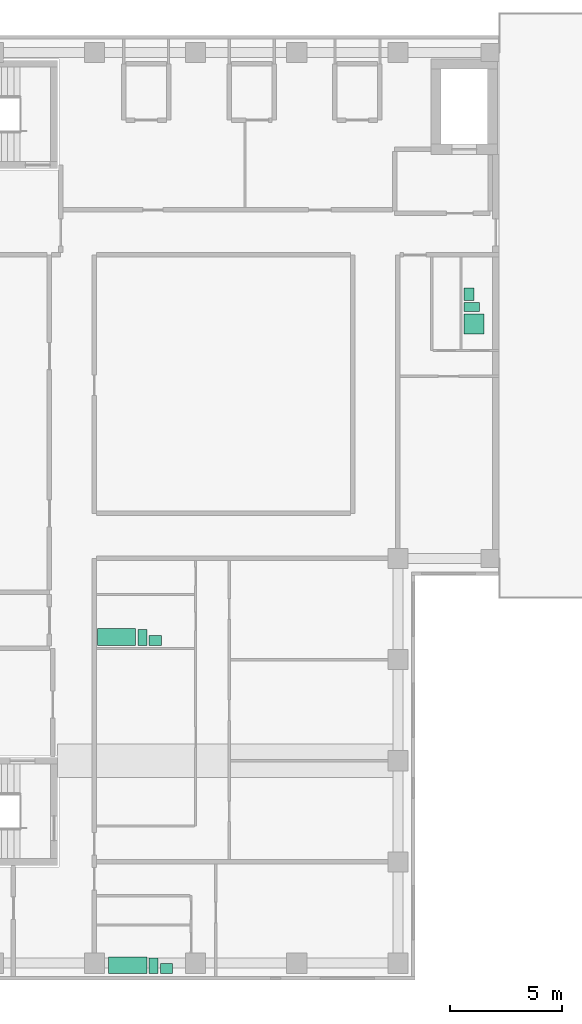
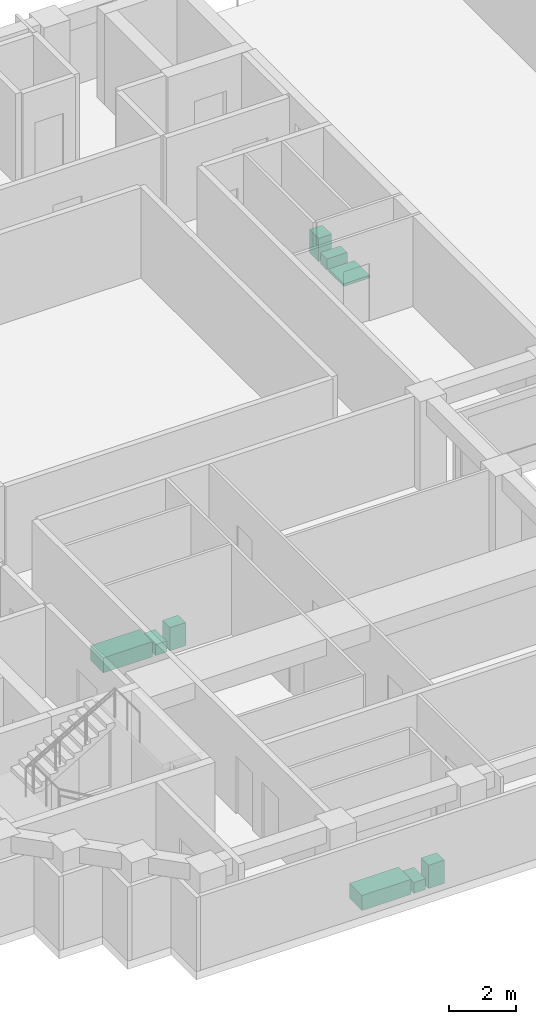
# One storey, part 7 of 7: 9 sanitary terminals.
"""IFC4 building model written with IfcOpenShell, lengths in metres."""

from ifc_helpers import new_model, si_unit, direction, frame, origin, origin_2d, place, context, subcontext, project, spatial, rectangle, extrude, material, type_object, element, save


model = new_model("IFC4")

# Units and contexts
model_context = context("Model", 3, precision=1e-05, world=origin(), true_north=direction((0.0, 1.0)))
body_context = subcontext(model_context, "Body", "Model", "MODEL_VIEW")
ifc_project = project(units=[si_unit("LENGTHUNIT", "METRE"), si_unit("AREAUNIT", "SQUARE_METRE"), si_unit("VOLUMEUNIT", "CUBIC_METRE"), si_unit("PLANEANGLEUNIT", "RADIAN"), si_unit("MASSUNIT", "GRAM", prefix="KILO")], contexts=[model_context])

# Site, building, storey
site_placement = place(None, origin())
site = spatial("IfcSite", under=ifc_project, at=site_placement, CompositionType="ELEMENT")
building_placement = place(site_placement, origin())
building = spatial("IfcBuilding", under=site, at=building_placement, Name="Firuza Court", CompositionType="ELEMENT")
storey_placement = place(building_placement, frame((0.0, 0.0, 240.199951171875)))
storey = spatial("IfcBuildingStorey", under=building, at=storey_placement, Name="L62", CompositionType="ELEMENT", Elevation=240.199951171875)

# Sanitary terminals
ifc_material_1 = material(Name="Vitreous china", Category="ceramic")
sanitary_terminal_type_1 = type_object("IfcSanitaryTerminalType", Name="Fixture Bath", PredefinedType="BATH", material=ifc_material_1)
for number, where, z_axis, x_axis, name in (
    (1, (9.97998046875, 32.5048828125, 0.0), (0.0, 0.0, 1.0), (1.0, 0.0, 0.0), "Bath"),
    (2, (10.47998046875, 17.905029296875, 0.0), (0.0, 0.0, 1.0), (1.0, 0.0, 0.0), "Bath"),
):
    element("IfcSanitaryTerminal", number, at=place(storey_placement, frame(where, z_axis=z_axis, x_axis=x_axis)), inside=storey, type_object=sanitary_terminal_type_1, Name=name, PredefinedType="BATH", context=body_context, shape_type="SweptSolid", body=[
        extrude(rectangle(XDim=1.699951171875, YDim=0.75, at=origin_2d()), origin(), (0.0, 0.0, 1.0), 0.550048828125),
    ])
ifc_material_2 = material(Name="Vitreous china", Category="ceramic")
sanitary_terminal_type_2 = type_object("IfcSanitaryTerminalType", Name="Fixture Shower tray", PredefinedType="SHOWER", material=ifc_material_2)
sanitary_terminal_1_placement = place(storey_placement, frame((25.8798828125, 46.429931640625, 0.0), z_axis=(0.0, 0.0, 1.0), x_axis=(1.0, 0.0, 0.0)))
element("IfcSanitaryTerminal", 3, at=sanitary_terminal_1_placement, inside=storey, type_object=sanitary_terminal_type_2, Name="Shower tray", PredefinedType="SHOWER", context=body_context, shape_type="SweptSolid", body=[
    extrude(rectangle(XDim=0.89990234375, YDim=0.89990234375, at=origin_2d()), origin(), (0.0, 0.0, 1.0), 0.10009765625),
])
ifc_material_3 = material(Name="Vitreous china", Category="ceramic")
sanitary_terminal_type_3 = type_object("IfcSanitaryTerminalType", Name="Fixture WC pan", PredefinedType="TOILETPAN", material=ifc_material_3)
sanitary_terminal_2_placement = place(storey_placement, frame((25.780029296875, 47.179931640625, 0.0), z_axis=(0.0, 0.0, 1.0), x_axis=(1.0, 0.0, 0.0)))
element("IfcSanitaryTerminal", 4, at=sanitary_terminal_2_placement, inside=storey, type_object=sanitary_terminal_type_3, Name="WC pan", PredefinedType="TOILETPAN", context=body_context, shape_type="SweptSolid", body=[
    extrude(rectangle(XDim=0.699951171875, YDim=0.39990234375, at=origin_2d()), origin(), (0.0, 0.0, 1.0), 0.39990234375),
])
for number, where, z_axis, x_axis, name in (
    (5, (11.1298828125, 32.47998046875, 0.0), (0.0, 0.0, 1.0), (1.0, 0.0, 0.0), "WC pan"),
    (6, (11.6298828125, 17.8798828125, 0.0), (0.0, 0.0, 1.0), (1.0, 0.0, 0.0), "WC pan"),
):
    element("IfcSanitaryTerminal", number, at=place(storey_placement, frame(where, z_axis=z_axis, x_axis=x_axis)), inside=storey, type_object=sanitary_terminal_type_3, Name=name, PredefinedType="TOILETPAN", context=body_context, shape_type="SweptSolid", body=[
        extrude(rectangle(XDim=0.39990234375, YDim=0.699951171875, at=origin_2d()), origin(), (0.0, 0.0, 1.0), 0.39990234375),
    ])
ifc_material_4 = material(Name="Vitreous china", Category="ceramic")
sanitary_terminal_type_4 = type_object("IfcSanitaryTerminalType", Name="Fixture Washbasin", PredefinedType="WASHHANDBASIN", material=ifc_material_4)
sanitary_terminal_3_placement = place(storey_placement, frame((25.655029296875, 47.7548828125, 0.0), z_axis=(0.0, 0.0, 1.0), x_axis=(1.0, 0.0, 0.0)))
element("IfcSanitaryTerminal", 7, at=sanitary_terminal_3_placement, inside=storey, type_object=sanitary_terminal_type_4, Name="Washbasin", PredefinedType="WASHHANDBASIN", context=body_context, shape_type="SweptSolid", body=[
    extrude(rectangle(XDim=0.449951171875, YDim=0.550048828125, at=origin_2d()), origin(), (0.0, 0.0, 1.0), 0.85009765625),
])
for number, where, z_axis, x_axis, name in (
    (8, (11.705078125, 32.35498046875, 0.0), (0.0, 0.0, 1.0), (1.0, 0.0, 0.0), "Washbasin"),
    (9, (12.205078125, 17.7548828125, 0.0), (0.0, 0.0, 1.0), (1.0, 0.0, 0.0), "Washbasin"),
):
    element("IfcSanitaryTerminal", number, at=place(storey_placement, frame(where, z_axis=z_axis, x_axis=x_axis)), inside=storey, type_object=sanitary_terminal_type_4, Name=name, PredefinedType="WASHHANDBASIN", context=body_context, shape_type="SweptSolid", body=[
        extrude(rectangle(XDim=0.550048828125, YDim=0.449951171875, at=origin_2d()), origin(), (0.0, 0.0, 1.0), 0.85009765625),
    ])

save(model, "model.ifc")
